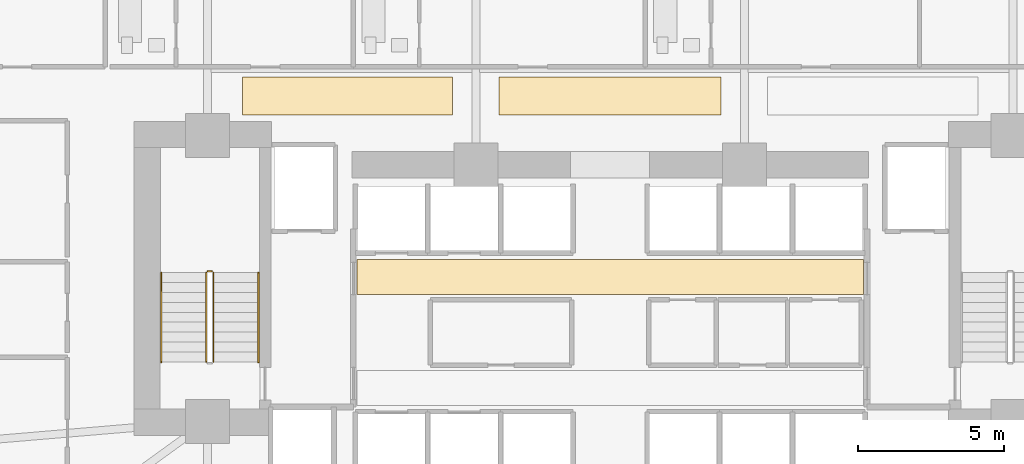
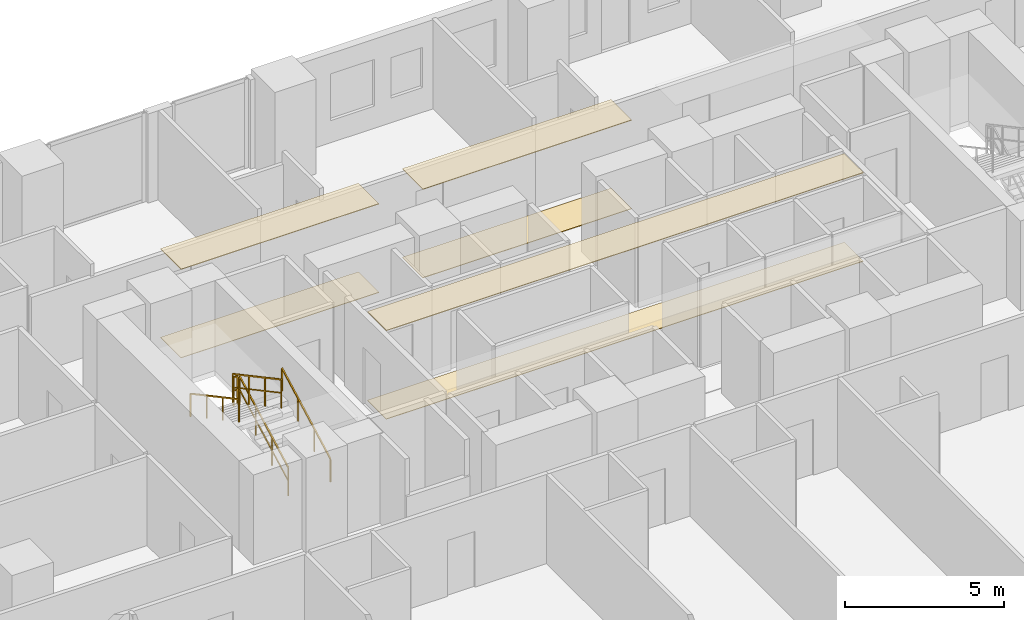
# One storey, part 26 of 29: 6 coverings, 5 railings.
"""IFC4 building model written with IfcOpenShell, lengths in metres."""

from ifc_helpers import new_model, si_unit, direction, frame, origin, origin_2d, place, context, subcontext, project, spatial, polyline, rectangle, outline, extrude, material, layer, layer_set, type_object, element, save


model = new_model("IFC4")

# Units and contexts
model_context = context("Model", 3, precision=1e-05, world=origin(), true_north=direction((0.0, 1.0)))
body_context = subcontext(model_context, "Body", "Model", "MODEL_VIEW")
ifc_project = project(units=[si_unit("LENGTHUNIT", "METRE"), si_unit("AREAUNIT", "SQUARE_METRE"), si_unit("VOLUMEUNIT", "CUBIC_METRE"), si_unit("PLANEANGLEUNIT", "RADIAN"), si_unit("MASSUNIT", "GRAM", prefix="KILO")], contexts=[model_context])

# Site, building, storey
site_placement = place(None, origin())
site = spatial("IfcSite", under=ifc_project, at=site_placement, CompositionType="ELEMENT")
building_placement = place(site_placement, origin())
building = spatial("IfcBuilding", under=site, at=building_placement, Name="Zuhayl Quay Hotel", CompositionType="ELEMENT")
storey_placement = place(building_placement, frame((0.0, 0.0, 38.550048828125)))
storey = spatial("IfcBuildingStorey", under=building, at=storey_placement, Name="L08", CompositionType="ELEMENT", Elevation=38.550048828125)

# Coverings
ifc_material_1 = material(Name="Acoustic Mineral-Fibre Gypsum Board")
ifc_layer_1 = layer(ifc_material_1, 0.02490234375, Name="Acoustic Mineral-Fibre Gypsum Board")
ifc_layer_set_1 = layer_set([ifc_layer_1], Name="Acoustic Mineral-Fibre Gypsum Board")
covering_type_1 = type_object("IfcCoveringType", Name="CV_CEIL_ACOUSTIC", PredefinedType="CEILING", material=ifc_layer_set_1)
covering_1_placement = place(storey_placement, frame((0.0, 0.0, 3.405029296875)))
element("IfcCovering", 1, at=covering_1_placement, inside=storey, type_object=covering_type_1, Name="L08 Suspended Acoustic Lobby Ceiling N", PredefinedType="CEILING", context=body_context, shape_type="SweptSolid", body=[
    extrude(outline(polyline([(-8.679931640625, 8.89990234375), (8.679931640625, 8.89990234375), (8.679931640625, 10.10009765625), (-8.679931640625, 10.10009765625), (-8.679931640625, 8.89990234375)])), origin(), (0.0, 0.0, 1.0), 0.02490234375),
])
covering_2_placement = place(storey_placement, frame((0.0, 0.0, 3.405029296875)))
element("IfcCovering", 2, at=covering_2_placement, inside=storey, type_object=covering_type_1, Name="L08 Guest Corridor Acoustic Ceiling CW", PredefinedType="CEILING", context=body_context, shape_type="SweptSolid", body=[
    extrude(outline(polyline([(-12.60009765625, 15.050048828125), (-5.39990234375, 15.050048828125), (-5.39990234375, 16.35009765625), (-12.60009765625, 16.35009765625), (-12.60009765625, 15.050048828125)])), origin(), (0.0, 0.0, 1.0), 0.02490234375),
])
covering_3_placement = place(storey_placement, frame((0.0, 0.0, 3.405029296875)))
element("IfcCovering", 3, at=covering_3_placement, inside=storey, type_object=covering_type_1, Name="L08 Guest Corridor Acoustic Ceiling CC", PredefinedType="CEILING", context=body_context, shape_type="SweptSolid", body=[
    extrude(outline(polyline([(-3.800048828125, 15.050048828125), (3.800048828125, 15.050048828125), (3.800048828125, 16.35009765625), (-3.800048828125, 16.35009765625), (-3.800048828125, 15.050048828125)])), origin(), (0.0, 0.0, 1.0), 0.02490234375),
])
ifc_material_2 = material(Name="Polished Limestone Terrazzo", Category="masonry")
ifc_layer_2 = layer(ifc_material_2, 0.02001953125, Name="Polished Limestone Terrazzo", Category="masonry")
ifc_layer_set_2 = layer_set([ifc_layer_2], Name="Polished Limestone Terrazzo")
covering_type_2 = type_object("IfcCoveringType", Name="CV_FLOOR_TERRAZZO", PredefinedType="FLOORING", material=ifc_layer_set_2)
covering_4_placement = place(storey_placement, origin())
element("IfcCovering", 4, at=covering_4_placement, inside=storey, type_object=covering_type_2, Name="L08 Honed Limestone Terrazzo Lobby Flooring N", PredefinedType="FLOORING", context=body_context, shape_type="SweptSolid", body=[
    extrude(outline(polyline([(-8.679931640625, 8.89990234375), (8.679931640625, 8.89990234375), (8.679931640625, 10.10009765625), (-8.679931640625, 10.10009765625), (-8.679931640625, 8.89990234375)])), origin(), (0.0, 0.0, 1.0), 0.02001953125),
])
covering_5_placement = place(storey_placement, origin())
element("IfcCovering", 5, at=covering_5_placement, inside=storey, type_object=covering_type_2, Name="L08 Guest Corridor Terrazzo Runner CW", PredefinedType="FLOORING", context=body_context, shape_type="SweptSolid", body=[
    extrude(outline(polyline([(-12.60009765625, 15.050048828125), (-5.39990234375, 15.050048828125), (-5.39990234375, 16.35009765625), (-12.60009765625, 16.35009765625), (-12.60009765625, 15.050048828125)])), origin(), (0.0, 0.0, 1.0), 0.02001953125),
])
covering_6_placement = place(storey_placement, origin())
element("IfcCovering", 6, at=covering_6_placement, inside=storey, type_object=covering_type_2, Name="L08 Guest Corridor Terrazzo Runner CC", PredefinedType="FLOORING", context=body_context, shape_type="SweptSolid", body=[
    extrude(outline(polyline([(-3.800048828125, 15.050048828125), (3.800048828125, 15.050048828125), (3.800048828125, 16.35009765625), (-3.800048828125, 16.35009765625), (-3.800048828125, 15.050048828125)])), origin(), (0.0, 0.0, 1.0), 0.02001953125),
])

# Railings
ifc_material_3 = material(Name="Steel ASTM A992 Grade 50", Category="steel")
railing_type_1 = type_object("IfcRailingType", Name="RL_GUARD_1100", PredefinedType="GUARDRAIL", material=ifc_material_3)
railing_1_placement = place(storey_placement, frame((-13.590087890625, 6.590087890625, 0.182373046875)))
element("IfcRailing", 7, at=railing_1_placement, inside=storey, type_object=railing_type_1, Name="L08 ST1 stair guard 1", PredefinedType="GUARDRAIL", context=body_context, shape_type="SweptSolid", body=[
    extrude(rectangle(XDim=0.048095703125, YDim=0.048095703125, at=origin_2d()), frame((0.0, 0.0, 1.09619140625), z_axis=(0.0, 0.88107310026, 0.472980117973), x_axis=(-1.0, 0.0, 0.0)), (0.0, 0.0, 1.0), 3.472900390625),
    extrude(rectangle(XDim=0.0361328125, YDim=0.0361328125, at=origin_2d()), frame((0.0, 0.0, 0.58251953125), z_axis=(0.0, 0.88107310026, 0.472980117973), x_axis=(-1.0, 0.0, 0.0)), (0.0, 0.0, 1.0), 3.472900390625),
    extrude(rectangle(XDim=0.0419921875, YDim=0.0419921875, at=origin_2d()), origin(), (0.0, 0.0, 1.0), 1.072021484375),
    extrude(rectangle(XDim=0.0419921875, YDim=0.0419921875, at=origin_2d()), frame((0.0, 1.02001953125, 0.547607421875)), (0.0, 0.0, 1.0), 1.072021484375),
    extrude(rectangle(XDim=0.0419921875, YDim=0.0419921875, at=origin_2d()), frame((0.0, 2.039794921875, 1.094970703125)), (0.0, 0.0, 1.0), 1.072021484375),
    extrude(rectangle(XDim=0.0419921875, YDim=0.0419921875, at=origin_2d()), frame((0.0, 3.059814453125, 1.642578125)), (0.0, 0.0, 1.0), 1.072021484375),
])
railing_2_placement = place(storey_placement, frame((-13.639892578125, 9.699951171875, 1.824951171875)))
element("IfcRailing", 8, at=railing_2_placement, inside=storey, type_object=railing_type_1, Name="L08 ST1 stair guard 2", PredefinedType="GUARDRAIL", context=body_context, shape_type="SweptSolid", body=[
    extrude(rectangle(XDim=0.048095703125, YDim=0.048095703125, at=origin_2d()), frame((0.0, 0.0, 1.09619140625), z_axis=(-1.0, 0.0, 0.0), x_axis=(0.0, -1.0, 0.0)), (0.0, 0.0, 1.0), 0.150146484375),
    extrude(rectangle(XDim=0.0361328125, YDim=0.0361328125, at=origin_2d()), frame((0.0, 0.0, 0.58251953125), z_axis=(-1.0, 0.0, 0.0), x_axis=(0.0, -1.0, 0.0)), (0.0, 0.0, 1.0), 0.150146484375),
    extrude(rectangle(XDim=0.0419921875, YDim=0.0419921875, at=origin_2d()), origin(), (0.0, 0.0, 1.0), 1.072021484375),
    extrude(rectangle(XDim=0.0419921875, YDim=0.0419921875, at=origin_2d()), frame((-0.150146484375, 0.0, 0.0)), (0.0, 0.0, 1.0), 1.072021484375),
])
railing_3_placement = place(storey_placement, frame((-13.840087890625, 9.64990234375, 2.007568359375)))
element("IfcRailing", 9, at=railing_3_placement, inside=storey, type_object=railing_type_1, Name="L08 ST1 stair guard 3", PredefinedType="GUARDRAIL", context=body_context, shape_type="SweptSolid", body=[
    extrude(rectangle(XDim=0.048095703125, YDim=0.048095703125, at=origin_2d()), frame((0.0, 0.0, 1.09619140625), z_axis=(0.0, -0.881102395774, 0.472925541879), x_axis=(1.0, 0.0, 0.0)), (0.0, 0.0, 1.0), 3.47265625),
    extrude(rectangle(XDim=0.0361328125, YDim=0.0361328125, at=origin_2d()), frame((0.0, 0.0, 0.58251953125), z_axis=(0.0, -0.881102395774, 0.472925541879), x_axis=(1.0, 0.0, 0.0)), (0.0, 0.0, 1.0), 3.47265625),
    extrude(rectangle(XDim=0.0419921875, YDim=0.0419921875, at=origin_2d()), origin(), (0.0, 0.0, 1.0), 1.072021484375),
    extrude(rectangle(XDim=0.0419921875, YDim=0.0419921875, at=origin_2d()), frame((0.0, -1.02001953125, 0.54736328125)), (0.0, 0.0, 1.0), 1.072021484375),
    extrude(rectangle(XDim=0.0419921875, YDim=0.0419921875, at=origin_2d()), frame((0.0, -2.039794921875, 1.094970703125)), (0.0, 0.0, 1.0), 1.072021484375),
    extrude(rectangle(XDim=0.0419921875, YDim=0.0419921875, at=origin_2d()), frame((0.0, -3.059814453125, 1.642333984375)), (0.0, 0.0, 1.0), 1.072021484375),
])
railing_type_2 = type_object("IfcRailingType", Name="RL_HANDRAIL_920", PredefinedType="HANDRAIL", material=ifc_material_3)
railing_4_placement = place(storey_placement, frame((-12.050048828125, 6.590087890625, 0.182373046875)))
element("IfcRailing", 10, at=railing_4_placement, inside=storey, type_object=railing_type_2, Name="L08 ST1 stair handrail 1", PredefinedType="HANDRAIL", context=body_context, shape_type="SweptSolid", body=[
    extrude(rectangle(XDim=0.048095703125, YDim=0.048095703125, at=origin_2d()), frame((0.0, 0.0, 0.8759765625), z_axis=(0.0, 0.88107310026, 0.472980117973), x_axis=(-1.0, 0.0, 0.0)), (0.0, 0.0, 1.0), 3.472900390625),
    extrude(rectangle(XDim=0.0419921875, YDim=0.0419921875, at=origin_2d()), origin(), (0.0, 0.0, 1.0), 0.851806640625),
    extrude(rectangle(XDim=0.0419921875, YDim=0.0419921875, at=origin_2d()), frame((0.0, 1.02001953125, 0.547607421875)), (0.0, 0.0, 1.0), 0.851806640625),
    extrude(rectangle(XDim=0.0419921875, YDim=0.0419921875, at=origin_2d()), frame((0.0, 2.039794921875, 1.094970703125)), (0.0, 0.0, 1.0), 0.851806640625),
    extrude(rectangle(XDim=0.0419921875, YDim=0.0419921875, at=origin_2d()), frame((0.0, 3.059814453125, 1.642578125)), (0.0, 0.0, 1.0), 0.851806640625),
])
railing_5_placement = place(storey_placement, frame((-15.3798828125, 9.64990234375, 2.007568359375)))
element("IfcRailing", 11, at=railing_5_placement, inside=storey, type_object=railing_type_2, Name="L08 ST1 stair handrail 2", PredefinedType="HANDRAIL", context=body_context, shape_type="SweptSolid", body=[
    extrude(rectangle(XDim=0.048095703125, YDim=0.048095703125, at=origin_2d()), frame((0.0, 0.0, 0.8759765625), z_axis=(0.0, -0.881102395774, 0.472925541879), x_axis=(1.0, 0.0, 0.0)), (0.0, 0.0, 1.0), 3.47265625),
    extrude(rectangle(XDim=0.0419921875, YDim=0.0419921875, at=origin_2d()), origin(), (0.0, 0.0, 1.0), 0.851806640625),
    extrude(rectangle(XDim=0.0419921875, YDim=0.0419921875, at=origin_2d()), frame((0.0, -1.02001953125, 0.54736328125)), (0.0, 0.0, 1.0), 0.851806640625),
    extrude(rectangle(XDim=0.0419921875, YDim=0.0419921875, at=origin_2d()), frame((0.0, -2.039794921875, 1.094970703125)), (0.0, 0.0, 1.0), 0.851806640625),
    extrude(rectangle(XDim=0.0419921875, YDim=0.0419921875, at=origin_2d()), frame((0.0, -3.059814453125, 1.642333984375)), (0.0, 0.0, 1.0), 0.851806640625),
])

save(model, "model.ifc")
